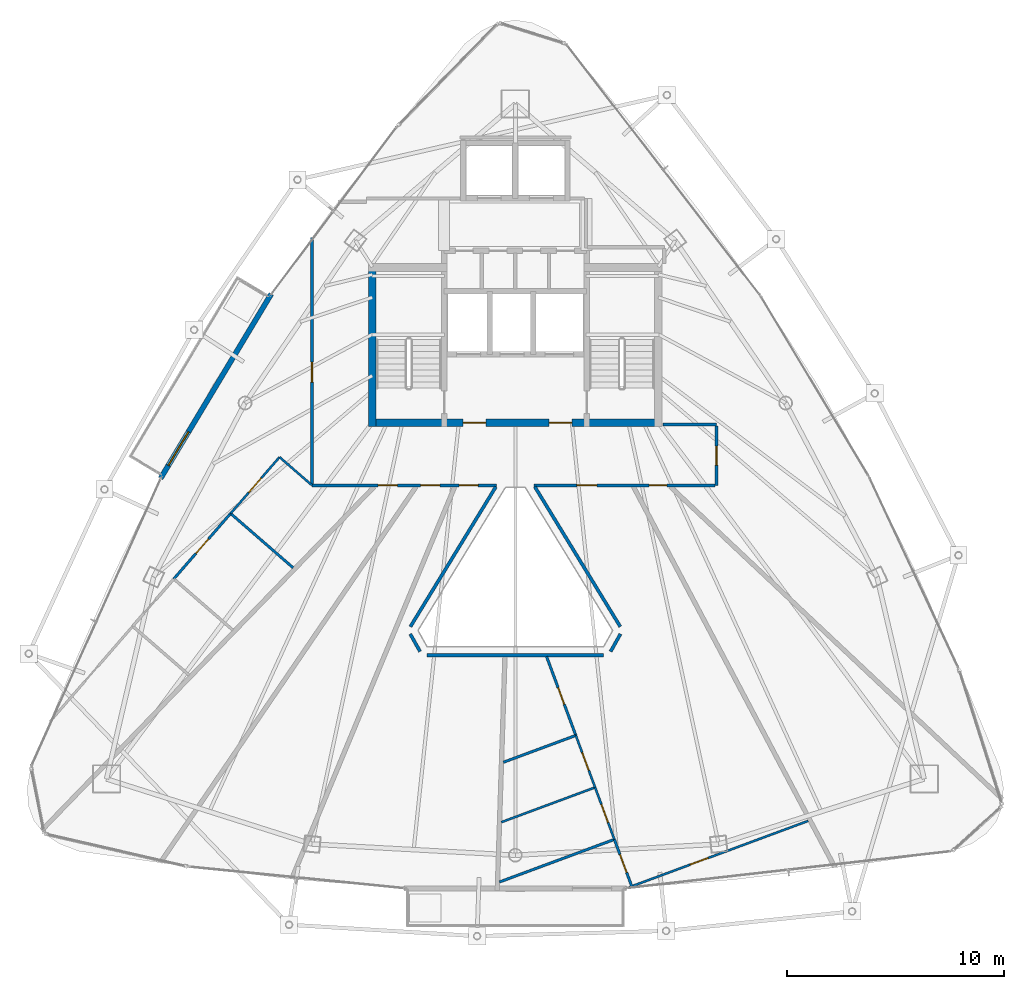
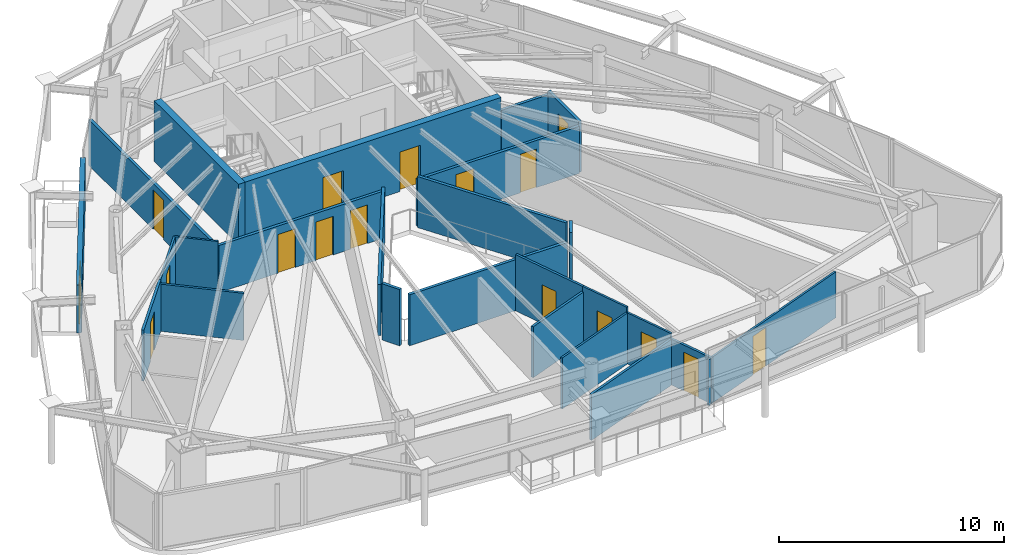
# One storey, part 26 of 29: 25 walls, 17 doors, 17 openings.
"""IFC4 building model written with IfcOpenShell, lengths in metres."""

from ifc_helpers import new_model, si_unit, direction, frame, frame_2d, origin, place, context, subcontext, project, spatial, rectangle, extrude, material, layer, layer_set, type_object, element, fill, save


model = new_model("IFC4")

# Units and contexts
model_context = context("Model", 3, precision=1e-05, world=origin(), true_north=direction((0.0, 1.0)))
body_context = subcontext(model_context, "Body", "Model", "MODEL_VIEW")
ifc_project = project(units=[si_unit("LENGTHUNIT", "METRE"), si_unit("AREAUNIT", "SQUARE_METRE"), si_unit("VOLUMEUNIT", "CUBIC_METRE"), si_unit("PLANEANGLEUNIT", "RADIAN"), si_unit("MASSUNIT", "GRAM", prefix="KILO")], contexts=[model_context])

# Site, building, storey
site_placement = place(None, origin())
site = spatial("IfcSite", under=ifc_project, at=site_placement, CompositionType="ELEMENT")
building_placement = place(site_placement, origin())
building = spatial("IfcBuilding", under=site, at=building_placement, Name="Orvanel Arch Residences", CompositionType="ELEMENT")
storey_placement = place(building_placement, frame((0.0, 0.0, 246.949951171875)))
storey = spatial("IfcBuildingStorey", under=building, at=storey_placement, Name="L70", CompositionType="ELEMENT", Elevation=246.949951171875)

# Wall, opening, door
ifc_material_1 = material(Name="Precast concrete N50 (50 MPa)", Category="concrete")
ifc_layer_1 = layer(ifc_material_1, 0.239990234375)
ifc_layer_set_1 = layer_set([ifc_layer_1], Name="Precast concrete N50 (50 MPa)")
wall_type_1 = type_object("IfcWallType", Name="EW-BAL-240", PredefinedType="SOLIDWALL", material=ifc_layer_set_1)
wall_1_placement = place(storey_placement, frame((21.77490234375, 32.659912109375, 0.0), z_axis=(0.0, 0.0, 1.0), x_axis=(-0.514372387577, -0.857566934354, 0.0)))
wall_1 = element("IfcWall", 1, at=wall_1_placement, inside=storey, type_object=wall_type_1, Name="L70 Balcony Threshold Wall Face 1", PredefinedType="SOLIDWALL", context=body_context, shape_type="SweptSolid", body=[
    extrude(rectangle(XDim=9.895263671875, YDim=0.239990234375, at=frame_2d((4.94775390625, 0.0))), origin(), (0.0, 0.0, 1.0), 2.6240234375),
])
opening_1_placement = place(wall_1_placement, frame((7.39794921875, 0.0, 0.0)))
opening_1 = element("IfcOpeningElement", 2, at=opening_1_placement, cuts=wall_1, Name="Opening DB-180", PredefinedType="OPENING", context=body_context, shape_type="SweptSolid", body=[
    extrude(rectangle(XDim=1.800048828125, YDim=2.199951171875, at=frame_2d((0.89990234375, 1.10009765625))), frame((0.0, 0.1298828125, 0.0), z_axis=(0.0, -1.0, 0.0), x_axis=(1.0, 0.0, 0.0)), (0.0, 0.0, 1.0), 0.260009765625),
])
ifc_material_2 = material(Name="Bronze-anodised aluminium AA6063-T6", Category="aluminium")
door_type_1 = type_object("IfcDoorType", Name="DR-BAL-1800", OperationType="NOTDEFINED", PredefinedType="DOOR", material=ifc_material_2)
door_1_placement = place(opening_1_placement, origin())
door_1 = element("IfcDoor", 3, at=door_1_placement, inside=storey, type_object=door_type_1, Name="DR-L70-BAL-F1 L70 Planted Balcony Access Door Face 1", OperationType="SINGLE_SWING_LEFT", OverallHeight=2.199951171875, OverallWidth=1.800048828125, PredefinedType="DOOR", context=body_context, shape_type="SweptSolid", body=[
    extrude(rectangle(XDim=1.800048828125, YDim=2.199951171875, at=frame_2d((0.89990234375, 1.10009765625))), frame((0.0, 0.02490234375, 0.0), z_axis=(0.0, -1.0, 0.0), x_axis=(1.0, 0.0, 0.0)), (0.0, 0.0, 1.0), 0.050048828125),
])
fill(opening_1, door_1)

# Wall, openings, doors
ifc_material_3 = material(Name="Concrete N50 (50 MPa)", Category="concrete")
ifc_layer_2 = layer(ifc_material_3, 0.35009765625)
ifc_layer_set_2 = layer_set([ifc_layer_2], Name="Concrete N50 (50 MPa)")
wall_type_2 = type_object("IfcWallType", Name="SW-CORE-350", PredefinedType="SHEAR", material=ifc_layer_set_2)
wall_2_placement = place(storey_placement, frame((26.25, 26.72509765625, 0.0), z_axis=(0.0, 0.0, 1.0), x_axis=(1.0, 0.0, 0.0)))
wall_2 = element("IfcWall", 4, at=wall_2_placement, inside=storey, type_object=wall_type_2, Name="L70 South Core Shear Wall", PredefinedType="SHEAR", context=body_context, shape_type="SweptSolid", body=[
    extrude(rectangle(XDim=13.5, YDim=0.35009765625, at=frame_2d((6.75, 0.0))), origin(), (0.0, 0.0, 1.0), 3.300048828125),
])
opening_2_placement = place(wall_2_placement, frame((4.35009765625, 0.0, 0.0)))
opening_2 = element("IfcOpeningElement", 5, at=opening_2_placement, cuts=wall_2, Name="Opening DF-060", PredefinedType="OPENING", context=body_context, shape_type="SweptSolid", body=[
    extrude(rectangle(XDim=1.050048828125, YDim=2.14990234375, at=frame_2d((0.52490234375, 1.074951171875))), frame((0.0, 0.18505859375, 0.0), z_axis=(0.0, -1.0, 0.0), x_axis=(1.0, 0.0, 0.0)), (0.0, 0.0, 1.0), 0.3701171875),
])
opening_3_placement = place(wall_2_placement, frame((8.300048828125, 0.0, 0.0)))
opening_3 = element("IfcOpeningElement", 6, at=opening_3_placement, cuts=wall_2, Name="Opening DF-060", PredefinedType="OPENING", context=body_context, shape_type="SweptSolid", body=[
    extrude(rectangle(XDim=1.050048828125, YDim=2.14990234375, at=frame_2d((0.52490234375, 1.074951171875))), frame((0.0, 0.18505859375, 0.0), z_axis=(0.0, -1.0, 0.0), x_axis=(1.0, 0.0, 0.0)), (0.0, 0.0, 1.0), 0.3701171875),
])
ifc_material_4 = material(Name="Galvanised steel fire-resisting door assembly", Category="steel")
door_type_2 = type_object("IfcDoorType", Name="DR-FD60-1050", OperationType="NOTDEFINED", PredefinedType="DOOR", material=ifc_material_4)
door_2_placement = place(opening_2_placement, origin())
door_2 = element("IfcDoor", 7, at=door_2_placement, inside=storey, type_object=door_type_2, Name="DR-L70-FFL-W L70 West Smoke Lobby Door", OperationType="SINGLE_SWING_LEFT", OverallHeight=2.14990234375, OverallWidth=1.050048828125, PredefinedType="DOOR", context=body_context, shape_type="SweptSolid", body=[
    extrude(rectangle(XDim=1.050048828125, YDim=2.14990234375, at=frame_2d((0.52490234375, 1.074951171875))), frame((0.0, 0.02490234375, 0.0), z_axis=(0.0, -1.0, 0.0), x_axis=(1.0, 0.0, 0.0)), (0.0, 0.0, 1.0), 0.050048828125),
])
fill(opening_2, door_2)
door_3_placement = place(opening_3_placement, origin())
door_3 = element("IfcDoor", 8, at=door_3_placement, inside=storey, type_object=door_type_2, Name="DR-L70-FFL-E L70 East Smoke Lobby Door", OperationType="SINGLE_SWING_RIGHT", OverallHeight=2.14990234375, OverallWidth=1.050048828125, PredefinedType="DOOR", context=body_context, shape_type="SweptSolid", body=[
    extrude(rectangle(XDim=1.050048828125, YDim=2.14990234375, at=frame_2d((0.52490234375, 1.074951171875))), frame((0.0, 0.02490234375, 0.0), z_axis=(0.0, -1.0, 0.0), x_axis=(1.0, 0.0, 0.0)), (0.0, 0.0, 1.0), 0.050048828125),
])
fill(opening_3, door_3)

# Wall
wall_3_placement = place(storey_placement, frame((26.425048828125, 26.550048828125, 0.0), z_axis=(0.0, 0.0, 1.0), x_axis=(0.0, 1.0, 0.0)))
element("IfcWall", 9, at=wall_3_placement, inside=storey, type_object=wall_type_2, Name="L70 West Stair Shear Wall", PredefinedType="SHEAR", context=body_context, shape_type="SweptSolid", body=[
    extrude(rectangle(XDim=7.5, YDim=0.35009765625, at=frame_2d((3.75, 0.0))), origin(), (0.0, 0.0, 1.0), 3.300048828125),
])

# Wall, openings, doors
ifc_material_5 = material(Name="Fire-rated plasterboard lined steel stud partition", Category="steel")
ifc_layer_3 = layer(ifc_material_5, 0.14990234375)
ifc_layer_set_3 = layer_set([ifc_layer_3], Name="Fire-rated plasterboard lined steel stud partition")
wall_type_3 = type_object("IfcWallType", Name="W-COR-150", PredefinedType="PARTITIONING", material=ifc_layer_set_3)
wall_4_placement = place(storey_placement, frame((32.14111328125, 23.85009765625, 0.0), z_axis=(0.0, 0.0, 1.0), x_axis=(-1.0, 0.0, 0.0)))
wall_4 = element("IfcWall", 10, at=wall_4_placement, inside=storey, type_object=wall_type_3, Name="L70 Corridor Fire-Rated Partition", PredefinedType="PARTITIONING", context=body_context, shape_type="SweptSolid", body=[
    extrude(rectangle(XDim=8.4912109375, YDim=0.14990234375, at=frame_2d((4.24560546875, 0.0))), origin(), (0.0, 0.0, 1.0), 2.56494140625),
])
opening_4_placement = place(wall_4_placement, frame((0.847900390625, 0.0, 0.0)))
opening_4 = element("IfcOpeningElement", 11, at=opening_4_placement, cuts=wall_4, Name="Opening DI-088", PredefinedType="OPENING", context=body_context, shape_type="SweptSolid", body=[
    extrude(rectangle(XDim=0.8798828125, YDim=2.10009765625, at=frame_2d((0.43994140625, 1.050048828125))), frame((0.0, 0.0849609375, 0.0), z_axis=(0.0, -1.0, 0.0), x_axis=(1.0, 0.0, 0.0)), (0.0, 0.0, 1.0), 0.169921875),
])
opening_5_placement = place(wall_4_placement, frame((2.615966796875, 0.0, 0.0)))
opening_5 = element("IfcOpeningElement", 12, at=opening_5_placement, cuts=wall_4, Name="Opening DI-088", PredefinedType="OPENING", context=body_context, shape_type="SweptSolid", body=[
    extrude(rectangle(XDim=0.8798828125, YDim=2.10009765625, at=frame_2d((0.43994140625, 1.050048828125))), frame((0.0, 0.0849609375, 0.0), z_axis=(0.0, -1.0, 0.0), x_axis=(1.0, 0.0, 0.0)), (0.0, 0.0, 1.0), 0.169921875),
])
opening_6_placement = place(wall_4_placement, frame((4.56689453125, 0.0, 0.0)))
opening_6 = element("IfcOpeningElement", 13, at=opening_6_placement, cuts=wall_4, Name="Opening DI-088", PredefinedType="OPENING", context=body_context, shape_type="SweptSolid", body=[
    extrude(rectangle(XDim=0.8798828125, YDim=2.10009765625, at=frame_2d((0.43994140625, 1.050048828125))), frame((0.0, 0.0849609375, 0.0), z_axis=(0.0, -1.0, 0.0), x_axis=(1.0, 0.0, 0.0)), (0.0, 0.0, 1.0), 0.169921875),
])
ifc_material_6 = material(Name="Solid-core European oak veneer fire door leaf", Category="wood")
door_type_3 = type_object("IfcDoorType", Name="DR-INT-880", OperationType="NOTDEFINED", PredefinedType="DOOR", material=ifc_material_6)
door_4_placement = place(opening_4_placement, origin())
door_4 = element("IfcDoor", 14, at=door_4_placement, inside=storey, type_object=door_type_3, Name="DR-L70-SHRD-FB5 L70 Co-Working Study Office E Door", OperationType="SINGLE_SWING_LEFT", OverallHeight=2.10009765625, OverallWidth=0.8798828125, PredefinedType="DOOR", context=body_context, shape_type="SweptSolid", body=[
    extrude(rectangle(XDim=0.8798828125, YDim=2.10009765625, at=frame_2d((0.43994140625, 1.050048828125))), frame((0.0, 0.02490234375, 0.0), z_axis=(0.0, -1.0, 0.0), x_axis=(1.0, 0.0, 0.0)), (0.0, 0.0, 1.0), 0.050048828125),
])
fill(opening_4, door_4)
door_5_placement = place(opening_5_placement, origin())
door_5 = element("IfcDoor", 15, at=door_5_placement, inside=storey, type_object=door_type_3, Name="DR-L70-SHRD-FB6 L70 Co-Working Study Office F Door", OperationType="SINGLE_SWING_LEFT", OverallHeight=2.10009765625, OverallWidth=0.8798828125, PredefinedType="DOOR", context=body_context, shape_type="SweptSolid", body=[
    extrude(rectangle(XDim=0.8798828125, YDim=2.10009765625, at=frame_2d((0.43994140625, 1.050048828125))), frame((0.0, 0.02490234375, 0.0), z_axis=(0.0, -1.0, 0.0), x_axis=(1.0, 0.0, 0.0)), (0.0, 0.0, 1.0), 0.050048828125),
])
fill(opening_5, door_5)
door_6_placement = place(opening_6_placement, origin())
door_6 = element("IfcDoor", 16, at=door_6_placement, inside=storey, type_object=door_type_3, Name="DR-L70-SHRD-FB7 L70 Co-Working Study Office G Door", OperationType="SINGLE_SWING_LEFT", OverallHeight=2.10009765625, OverallWidth=0.8798828125, PredefinedType="DOOR", context=body_context, shape_type="SweptSolid", body=[
    extrude(rectangle(XDim=0.8798828125, YDim=2.10009765625, at=frame_2d((0.43994140625, 1.050048828125))), frame((0.0, 0.02490234375, 0.0), z_axis=(0.0, -1.0, 0.0), x_axis=(1.0, 0.0, 0.0)), (0.0, 0.0, 1.0), 0.050048828125),
])
fill(opening_6, door_6)

# Wall, opening, door
wall_5_placement = place(storey_placement, frame((23.64990234375, 23.909912109375, 0.0), z_axis=(0.0, 0.0, 1.0), x_axis=(0.0, 1.0, 0.0)))
wall_5 = element("IfcWall", 17, at=wall_5_placement, inside=storey, type_object=wall_type_3, Name="L70 Corridor Fire-Rated Partition", PredefinedType="PARTITIONING", context=body_context, shape_type="SweptSolid", body=[
    extrude(rectangle(XDim=11.337158203125, YDim=0.14990234375, at=frame_2d((5.66845703125, 0.0))), origin(), (0.0, 0.0, 1.0), 2.491943359375),
])
opening_7_placement = place(wall_5_placement, frame((4.694091796875, 0.0, 0.0)))
opening_7 = element("IfcOpeningElement", 18, at=opening_7_placement, cuts=wall_5, Name="Opening DA-092", PredefinedType="OPENING", context=body_context, shape_type="SweptSolid", body=[
    extrude(rectangle(XDim=0.919921875, YDim=2.14990234375, at=frame_2d((0.4599609375, 1.074951171875))), frame((0.0, 0.0849609375, 0.0), z_axis=(0.0, -1.0, 0.0), x_axis=(1.0, 0.0, 0.0)), (0.0, 0.0, 1.0), 0.169921875),
])
door_type_4 = type_object("IfcDoorType", Name="DR-APT-920", OperationType="NOTDEFINED", PredefinedType="DOOR", material=ifc_material_6)
door_7_placement = place(opening_7_placement, origin())
door_7 = element("IfcDoor", 19, at=door_7_placement, inside=storey, type_object=door_type_4, Name="DR-L70-C-ENT L70 Studio C Entrance Door", OperationType="SINGLE_SWING_RIGHT", OverallHeight=2.14990234375, OverallWidth=0.919921875, PredefinedType="DOOR", context=body_context, shape_type="SweptSolid", body=[
    extrude(rectangle(XDim=0.919921875, YDim=2.14990234375, at=frame_2d((0.4599609375, 1.074951171875))), frame((0.0, 0.02490234375, 0.0), z_axis=(0.0, -1.0, 0.0), x_axis=(1.0, 0.0, 0.0)), (0.0, 0.0, 1.0), 0.050048828125),
])
fill(opening_7, door_7)

# Wall
wall_6_placement = place(storey_placement, frame((39.7900390625, 26.64990234375, 0.0), z_axis=(0.0, 0.0, 1.0), x_axis=(1.0, 0.0, 0.0)))
element("IfcWall", 20, at=wall_6_placement, inside=storey, type_object=wall_type_3, Name="L70 Corridor Fire-Rated Partition", PredefinedType="PARTITIONING", context=body_context, shape_type="SweptSolid", body=[
    extrude(rectangle(XDim=2.4599609375, YDim=0.14990234375, at=frame_2d((1.22998046875, 0.0))), origin(), (0.0, 0.0, 1.0), 2.56494140625),
])

# Wall, opening, door
wall_7_placement = place(storey_placement, frame((42.25, 26.590087890625, 0.0), z_axis=(0.0, 0.0, 1.0), x_axis=(0.0, -1.0, 0.0)))
wall_7 = element("IfcWall", 21, at=wall_7_placement, inside=storey, type_object=wall_type_3, Name="L70 Corridor Fire-Rated Partition", PredefinedType="PARTITIONING", context=body_context, shape_type="SweptSolid", body=[
    extrude(rectangle(XDim=2.739990234375, YDim=0.14990234375, at=frame_2d((1.3701171875, 0.0))), origin(), (0.0, 0.0, 1.0), 2.77294921875),
])
opening_8_placement = place(wall_7_placement, frame((0.929931640625, 0.0, 0.0)))
opening_8 = element("IfcOpeningElement", 22, at=opening_8_placement, cuts=wall_7, Name="Opening DI-088", PredefinedType="OPENING", context=body_context, shape_type="SweptSolid", body=[
    extrude(rectangle(XDim=0.8798828125, YDim=2.10009765625, at=frame_2d((0.43994140625, 1.050048828125))), frame((0.0, 0.0849609375, 0.0), z_axis=(0.0, -1.0, 0.0), x_axis=(1.0, 0.0, 0.0)), (0.0, 0.0, 1.0), 0.169921875),
])
door_8_placement = place(opening_8_placement, origin())
door_8 = element("IfcDoor", 23, at=door_8_placement, inside=storey, type_object=door_type_3, Name="DR-L70-SHRD-FB1 L70 Co-Working Study Office A Door", OperationType="SINGLE_SWING_LEFT", OverallHeight=2.10009765625, OverallWidth=0.8798828125, PredefinedType="DOOR", context=body_context, shape_type="SweptSolid", body=[
    extrude(rectangle(XDim=0.8798828125, YDim=2.10009765625, at=frame_2d((0.43994140625, 1.050048828125))), frame((0.0, 0.02490234375, 0.0), z_axis=(0.0, -1.0, 0.0), x_axis=(1.0, 0.0, 0.0)), (0.0, 0.0, 1.0), 0.050048828125),
])
fill(opening_8, door_8)

# Wall, openings, doors
wall_8_placement = place(storey_placement, frame((42.18994140625, 23.85009765625, 0.0), z_axis=(0.0, 0.0, 1.0), x_axis=(-1.0, 0.0, 0.0)))
wall_8 = element("IfcWall", 24, at=wall_8_placement, inside=storey, type_object=wall_type_3, Name="L70 Corridor Fire-Rated Partition", PredefinedType="PARTITIONING", context=body_context, shape_type="SweptSolid", body=[
    extrude(rectangle(XDim=8.3310546875, YDim=0.14990234375, at=frame_2d((4.16552734375, 0.0))), origin(), (0.0, 0.0, 1.0), 2.56494140625),
])
opening_9_placement = place(wall_8_placement, frame((5.43505859375, 0.0, 0.0)))
opening_9 = element("IfcOpeningElement", 25, at=opening_9_placement, cuts=wall_8, Name="Opening DA-092", PredefinedType="OPENING", context=body_context, shape_type="SweptSolid", body=[
    extrude(rectangle(XDim=0.919921875, YDim=2.14990234375, at=frame_2d((0.4599609375, 1.074951171875))), frame((0.0, 0.0849609375, 0.0), z_axis=(0.0, -1.0, 0.0), x_axis=(1.0, 0.0, 0.0)), (0.0, 0.0, 1.0), 0.169921875),
])
opening_10_placement = place(wall_8_placement, frame((2.218017578125, 0.0, 0.0)))
opening_10 = element("IfcOpeningElement", 26, at=opening_10_placement, cuts=wall_8, Name="Opening DW-082", PredefinedType="OPENING", context=body_context, shape_type="SweptSolid", body=[
    extrude(rectangle(XDim=0.820068359375, YDim=2.10009765625, at=frame_2d((0.41015625, 1.050048828125))), frame((0.0, 0.0849609375, 0.0), z_axis=(0.0, -1.0, 0.0), x_axis=(1.0, 0.0, 0.0)), (0.0, 0.0, 1.0), 0.169921875),
])
door_9_placement = place(opening_9_placement, origin())
door_9 = element("IfcDoor", 27, at=door_9_placement, inside=storey, type_object=door_type_4, Name="DR-L70-B-ENT L70 Studio B Entrance Door", OperationType="SINGLE_SWING_LEFT", OverallHeight=2.14990234375, OverallWidth=0.919921875, PredefinedType="DOOR", context=body_context, shape_type="SweptSolid", body=[
    extrude(rectangle(XDim=0.919921875, YDim=2.14990234375, at=frame_2d((0.4599609375, 1.074951171875))), frame((0.0, 0.02490234375, 0.0), z_axis=(0.0, -1.0, 0.0), x_axis=(1.0, 0.0, 0.0)), (0.0, 0.0, 1.0), 0.050048828125),
])
fill(opening_9, door_9)
door_type_5 = type_object("IfcDoorType", Name="DR-WET-820", OperationType="NOTDEFINED", PredefinedType="DOOR", material=ifc_material_6)
door_10_placement = place(opening_10_placement, origin())
door_10 = element("IfcDoor", 28, at=door_10_placement, inside=storey, type_object=door_type_5, Name="DR-L70-SHRD-FB4 L70 Co-Working Study Office D Door", OperationType="SINGLE_SWING_LEFT", OverallHeight=2.10009765625, OverallWidth=0.820068359375, PredefinedType="DOOR", context=body_context, shape_type="SweptSolid", body=[
    extrude(rectangle(XDim=0.820068359375, YDim=2.10009765625, at=frame_2d((0.41015625, 1.050048828125))), frame((0.0, 0.02490234375, 0.0), z_axis=(0.0, -1.0, 0.0), x_axis=(1.0, 0.0, 0.0)), (0.0, 0.0, 1.0), 0.050048828125),
])
fill(opening_10, door_10)

# Walls
wall_9_placement = place(storey_placement, frame((33.89501953125, 23.7900390625, 0.0), z_axis=(0.0, 0.0, 1.0), x_axis=(0.521329541742, -0.85335544113, 0.0)))
element("IfcWall", 29, at=wall_9_placement, inside=storey, type_object=wall_type_3, Name="L70 Atrium Overlook Glazed Partition", PredefinedType="PARTITIONING", context=body_context, shape_type="SweptSolid", body=[
    extrude(rectangle(XDim=7.5419921875, YDim=0.14990234375, at=frame_2d((3.77099609375, 0.0))), origin(), (0.0, 0.0, 1.0), 2.77294921875),
])
wall_10_placement = place(storey_placement, frame((37.833984375, 17.01806640625, 0.0), z_axis=(0.0, 0.0, 1.0), x_axis=(-0.489334167997, -0.872096366252, 0.0)))
element("IfcWall", 30, at=wall_10_placement, inside=storey, type_object=wall_type_3, Name="L70 Atrium Overlook Glazed Partition", PredefinedType="PARTITIONING", context=body_context, shape_type="SweptSolid", body=[
    extrude(rectangle(XDim=0.925537109375, YDim=0.14990234375, at=frame_2d((0.462890625, 0.0))), origin(), (0.0, 0.0, 1.0), 3.06005859375),
])
wall_11_placement = place(storey_placement, frame((37.052001953125, 16.0390625, 0.0), z_axis=(0.0, 0.0, 1.0), x_axis=(-1.0, 0.0, 0.0)))
element("IfcWall", 31, at=wall_11_placement, inside=storey, type_object=wall_type_3, Name="L70 Atrium Overlook Glazed Partition", PredefinedType="PARTITIONING", context=body_context, shape_type="SweptSolid", body=[
    extrude(rectangle(XDim=8.10400390625, YDim=0.14990234375, at=frame_2d((4.052001953125, 0.0))), origin(), (0.0, 0.0, 1.0), 2.77294921875),
])
wall_12_placement = place(storey_placement, frame((28.618896484375, 16.2109375, 0.0), z_axis=(0.0, 0.0, 1.0), x_axis=(-0.489334167997, 0.872096366252, 0.0)))
element("IfcWall", 32, at=wall_12_placement, inside=storey, type_object=wall_type_3, Name="L70 Atrium Overlook Glazed Partition", PredefinedType="PARTITIONING", context=body_context, shape_type="SweptSolid", body=[
    extrude(rectangle(XDim=0.925537109375, YDim=0.14990234375, at=frame_2d((0.462890625, 0.0))), origin(), (0.0, 0.0, 1.0), 3.06005859375),
])
wall_13_placement = place(storey_placement, frame((28.173095703125, 17.35400390625, 0.0), z_axis=(0.0, 0.0, 1.0), x_axis=(0.521329541742, 0.85335544113, 0.0)))
element("IfcWall", 33, at=wall_13_placement, inside=storey, type_object=wall_type_3, Name="L70 Atrium Overlook Glazed Partition", PredefinedType="PARTITIONING", context=body_context, shape_type="SweptSolid", body=[
    extrude(rectangle(XDim=7.5419921875, YDim=0.14990234375, at=frame_2d((3.77099609375, 0.0))), origin(), (0.0, 0.0, 1.0), 2.77294921875),
])

# Wall, opening, door
ifc_material_7 = material(Name="Acoustic plasterboard lined twin-stud partition", Category="gypsum")
ifc_layer_4 = layer(ifc_material_7, 0.10009765625)
ifc_layer_set_4 = layer_set([ifc_layer_4], Name="Acoustic plasterboard lined twin-stud partition")
wall_type_4 = type_object("IfcWallType", Name="W-INT-100", PredefinedType="PARTITIONING", material=ifc_layer_set_4)
wall_14_placement = place(storey_placement, frame((37.553955078125, 7.571044921875, 0.0), z_axis=(0.0, 0.0, 1.0), x_axis=(-0.347479633163, 0.93768753033, 0.0)))
wall_14 = element("IfcWall", 34, at=wall_14_placement, inside=storey, type_object=wall_type_4, Name="L70 Studio B Internal Partition", PredefinedType="PARTITIONING", context=body_context, shape_type="SweptSolid", body=[
    extrude(rectangle(XDim=2.5498046875, YDim=0.10009765625, at=frame_2d((1.27490234375, 0.0))), origin(), (0.0, 0.0, 1.0), 2.77294921875),
])
opening_11_placement = place(wall_14_placement, frame((0.8349609375, 0.0, 0.0)))
opening_11 = element("IfcOpeningElement", 35, at=opening_11_placement, cuts=wall_14, Name="Opening DI-088", PredefinedType="OPENING", context=body_context, shape_type="SweptSolid", body=[
    extrude(rectangle(XDim=0.8798828125, YDim=2.10009765625, at=frame_2d((0.43994140625, 1.050048828125))), frame((0.0, 0.06005859375, 0.0), z_axis=(0.0, -1.0, 0.0), x_axis=(1.0, 0.0, 0.0)), (0.0, 0.0, 1.0), 0.1201171875),
])
door_11_placement = place(opening_11_placement, origin())
door_11 = element("IfcDoor", 36, at=door_11_placement, inside=storey, type_object=door_type_3, Name="DR-L70-B-AME1 L70 Studio B Resident Reading Library 1 Door", OperationType="SINGLE_SWING_LEFT", OverallHeight=2.10009765625, OverallWidth=0.8798828125, PredefinedType="DOOR", context=body_context, shape_type="SweptSolid", body=[
    extrude(rectangle(XDim=0.8798828125, YDim=2.10009765625, at=frame_2d((0.43994140625, 1.050048828125))), frame((0.0, 0.02490234375, 0.0), z_axis=(0.0, -1.0, 0.0), x_axis=(1.0, 0.0, 0.0)), (0.0, 0.0, 1.0), 0.050048828125),
])
fill(opening_11, door_11)

wall_15_placement = place(storey_placement, frame((46.468994140625, 8.423095703125, 0.0), z_axis=(0.0, 0.0, 1.0), x_axis=(-0.937601832004, -0.34771080602, 0.0)))
wall_15 = element("IfcWall", 37, at=wall_15_placement, inside=storey, type_object=wall_type_4, Name="L70 Studio B Internal Partition", PredefinedType="PARTITIONING", context=body_context, shape_type="SweptSolid", body=[
    extrude(rectangle(XDim=8.904541015625, YDim=0.10009765625, at=frame_2d((4.4521484375, 0.0))), origin(), (0.0, 0.0, 1.0), 2.491943359375),
])
opening_12_placement = place(wall_15_placement, frame((4.909912109375, 0.0, 0.0)))
opening_12 = element("IfcOpeningElement", 38, at=opening_12_placement, cuts=wall_15, Name="Opening DI-088", PredefinedType="OPENING", context=body_context, shape_type="SweptSolid", body=[
    extrude(rectangle(XDim=0.8798828125, YDim=2.10009765625, at=frame_2d((0.43994140625, 1.050048828125))), frame((0.0, 0.06005859375, 0.0), z_axis=(0.0, -1.0, 0.0), x_axis=(1.0, 0.0, 0.0)), (0.0, 0.0, 1.0), 0.1201171875),
])
door_12_placement = place(opening_12_placement, origin())
door_12 = element("IfcDoor", 39, at=door_12_placement, inside=storey, type_object=door_type_3, Name="DR-L70-B-AME2 L70 Studio B Resident Reading Library 2 Door", OperationType="SINGLE_SWING_LEFT", OverallHeight=2.10009765625, OverallWidth=0.8798828125, PredefinedType="DOOR", context=body_context, shape_type="SweptSolid", body=[
    extrude(rectangle(XDim=0.8798828125, YDim=2.10009765625, at=frame_2d((0.43994140625, 1.050048828125))), frame((0.0, 0.02490234375, 0.0), z_axis=(0.0, -1.0, 0.0), x_axis=(1.0, 0.0, 0.0)), (0.0, 0.0, 1.0), 0.050048828125),
])
fill(opening_12, door_12)

wall_16_placement = place(storey_placement, frame((36.66796875, 9.9619140625, 0.0), z_axis=(0.0, 0.0, 1.0), x_axis=(-0.347785106968, 0.937574274056, 0.0)))
wall_16 = element("IfcWall", 40, at=wall_16_placement, inside=storey, type_object=wall_type_4, Name="L70 Studio B Internal Partition", PredefinedType="PARTITIONING", context=body_context, shape_type="SweptSolid", body=[
    extrude(rectangle(XDim=2.55029296875, YDim=0.10009765625, at=frame_2d((1.275146484375, 0.0))), origin(), (0.0, 0.0, 1.0), 3.06005859375),
])
opening_13_placement = place(wall_16_placement, frame((0.8349609375, 0.0, 0.0)))
opening_13 = element("IfcOpeningElement", 41, at=opening_13_placement, cuts=wall_16, Name="Opening DI-088", PredefinedType="OPENING", context=body_context, shape_type="SweptSolid", body=[
    extrude(rectangle(XDim=0.8798828125, YDim=2.10009765625, at=frame_2d((0.43994140625, 1.050048828125))), frame((0.0, 0.06005859375, 0.0), z_axis=(0.0, -1.0, 0.0), x_axis=(1.0, 0.0, 0.0)), (0.0, 0.0, 1.0), 0.1201171875),
])
door_13_placement = place(opening_13_placement, origin())
door_13 = element("IfcDoor", 42, at=door_13_placement, inside=storey, type_object=door_type_3, Name="DR-L70-B-DIN3 L70 Studio B Dining Room 3 Door", OperationType="SINGLE_SWING_LEFT", OverallHeight=2.10009765625, OverallWidth=0.8798828125, PredefinedType="DOOR", context=body_context, shape_type="SweptSolid", body=[
    extrude(rectangle(XDim=0.8798828125, YDim=2.10009765625, at=frame_2d((0.43994140625, 1.050048828125))), frame((0.0, 0.02490234375, 0.0), z_axis=(0.0, -1.0, 0.0), x_axis=(1.0, 0.0, 0.0)), (0.0, 0.0, 1.0), 0.050048828125),
])
fill(opening_13, door_13)

# Walls
wall_17_placement = place(storey_placement, frame((32.35791015625, 8.364013671875, 0.0), z_axis=(0.0, 0.0, 1.0), x_axis=(0.937636593966, 0.34761705605, 0.0)))
element("IfcWall", 43, at=wall_17_placement, inside=storey, type_object=wall_type_4, Name="L70 Studio B Internal Partition", PredefinedType="PARTITIONING", context=body_context, shape_type="SweptSolid", body=[
    extrude(rectangle(XDim=4.5966796875, YDim=0.10009765625, at=frame_2d((2.29833984375, 0.0))), origin(), (0.0, 0.0, 1.0), 2.77294921875),
])
wall_18_placement = place(storey_placement, frame((23.64990234375, 23.85498046875, 0.0), z_axis=(0.0, 0.0, 1.0), x_axis=(-0.755054003076, 0.655662605643, 0.0)))
element("IfcWall", 44, at=wall_18_placement, inside=storey, type_object=wall_type_4, Name="L70 Studio C Internal Partition", PredefinedType="PARTITIONING", context=body_context, shape_type="SweptSolid", body=[
    extrude(rectangle(XDim=1.979736328125, YDim=0.10009765625, at=frame_2d((0.98974609375, 0.0))), origin(), (0.0, 0.0, 1.0), 2.77294921875),
])

# Wall, opening, door
wall_19_placement = place(storey_placement, frame((22.155029296875, 25.153076171875, 0.0), z_axis=(0.0, 0.0, 1.0), x_axis=(-0.655685588572, -0.755034044888, 0.0)))
wall_19 = element("IfcWall", 45, at=wall_19_placement, inside=storey, type_object=wall_type_4, Name="L70 Studio C Internal Partition", PredefinedType="PARTITIONING", context=body_context, shape_type="SweptSolid", body=[
    extrude(rectangle(XDim=3.43310546875, YDim=0.10009765625, at=frame_2d((1.716552734375, 0.0))), origin(), (0.0, 0.0, 1.0), 2.77294921875),
])
opening_14_placement = place(wall_19_placement, frame((1.27587890625, 0.0, 0.0)))
opening_14 = element("IfcOpeningElement", 46, at=opening_14_placement, cuts=wall_19, Name="Opening DI-088", PredefinedType="OPENING", context=body_context, shape_type="SweptSolid", body=[
    extrude(rectangle(XDim=0.8798828125, YDim=2.10009765625, at=frame_2d((0.43994140625, 1.050048828125))), frame((0.0, 0.06005859375, 0.0), z_axis=(0.0, -1.0, 0.0), x_axis=(1.0, 0.0, 0.0)), (0.0, 0.0, 1.0), 0.1201171875),
])
door_14_placement = place(opening_14_placement, origin())
door_14 = element("IfcDoor", 47, at=door_14_placement, inside=storey, type_object=door_type_3, Name="DR-L70-C-DIN2 L70 Studio C Dining Room 2 Door", OperationType="SINGLE_SWING_LEFT", OverallHeight=2.10009765625, OverallWidth=0.8798828125, PredefinedType="DOOR", context=body_context, shape_type="SweptSolid", body=[
    extrude(rectangle(XDim=0.8798828125, YDim=2.10009765625, at=frame_2d((0.43994140625, 1.050048828125))), frame((0.0, 0.02490234375, 0.0), z_axis=(0.0, -1.0, 0.0), x_axis=(1.0, 0.0, 0.0)), (0.0, 0.0, 1.0), 0.050048828125),
])
fill(opening_14, door_14)

ifc_layer_5 = layer(ifc_material_7, 0.1201171875)
ifc_layer_set_5 = layer_set([ifc_layer_5], Name="Acoustic plasterboard lined twin-stud partition")
wall_type_5 = type_object("IfcWallType", Name="W-WET-120", PredefinedType="PARTITIONING", material=ifc_layer_set_5)
wall_20_placement = place(storey_placement, frame((35.781005859375, 12.35302734375, 0.0), z_axis=(0.0, 0.0, 1.0), x_axis=(-0.347550810428, 0.937661151041, 0.0)))
wall_20 = element("IfcWall", 48, at=wall_20_placement, inside=storey, type_object=wall_type_5, Name="L70 Studio B Bathroom Partition", PredefinedType="PARTITIONING", context=body_context, shape_type="SweptSolid", body=[
    extrude(rectangle(XDim=3.866943359375, YDim=0.1201171875, at=frame_2d((1.93359375, 0.0))), origin(), (0.0, 0.0, 1.0), 3.06005859375),
])
opening_15_placement = place(wall_20_placement, frame((1.52392578125, 0.0, 0.0)))
opening_15 = element("IfcOpeningElement", 49, at=opening_15_placement, cuts=wall_20, Name="Opening DW-082", PredefinedType="OPENING", context=body_context, shape_type="SweptSolid", body=[
    extrude(rectangle(XDim=0.820068359375, YDim=2.10009765625, at=frame_2d((0.41015625, 1.050048828125))), frame((0.0, 0.070068359375, 0.0), z_axis=(0.0, -1.0, 0.0), x_axis=(1.0, 0.0, 0.0)), (0.0, 0.0, 1.0), 0.14013671875),
])
door_15_placement = place(opening_15_placement, origin())
door_15 = element("IfcDoor", 50, at=door_15_placement, inside=storey, type_object=door_type_5, Name="DR-L70-B-BATH L70 Studio B Bathroom Door", OperationType="SINGLE_SWING_RIGHT", OverallHeight=2.10009765625, OverallWidth=0.820068359375, PredefinedType="DOOR", context=body_context, shape_type="SweptSolid", body=[
    extrude(rectangle(XDim=0.820068359375, YDim=2.10009765625, at=frame_2d((0.41015625, 1.050048828125))), frame((0.0, 0.02490234375, 0.0), z_axis=(0.0, -1.0, 0.0), x_axis=(1.0, 0.0, 0.0)), (0.0, 0.0, 1.0), 0.050048828125),
])
fill(opening_15, door_15)

wall_21_placement = place(storey_placement, frame((38.375, 5.35791015625, 0.0), z_axis=(0.0, 0.0, 1.0), x_axis=(-0.347822952978, 0.937560234535, 0.0)))
wall_21 = element("IfcWall", 51, at=wall_21_placement, inside=storey, type_object=wall_type_5, Name="L70 Studio B Internal Partition", PredefinedType="PARTITIONING", context=body_context, shape_type="SweptSolid", body=[
    extrude(rectangle(XDim=2.360595703125, YDim=0.1201171875, at=frame_2d((1.18017578125, 0.0))), origin(), (0.0, 0.0, 1.0), 2.491943359375),
])
opening_16_placement = place(wall_21_placement, frame((0.739990234375, 0.0, 0.0)))
opening_16 = element("IfcOpeningElement", 52, at=opening_16_placement, cuts=wall_21, Name="Opening DI-088", PredefinedType="OPENING", context=body_context, shape_type="SweptSolid", body=[
    extrude(rectangle(XDim=0.8798828125, YDim=2.10009765625, at=frame_2d((0.43994140625, 1.050048828125))), frame((0.0, 0.070068359375, 0.0), z_axis=(0.0, -1.0, 0.0), x_axis=(1.0, 0.0, 0.0)), (0.0, 0.0, 1.0), 0.14013671875),
])
door_16_placement = place(opening_16_placement, origin())
door_16 = element("IfcDoor", 53, at=door_16_placement, inside=storey, type_object=door_type_3, Name="DR-L70-B-KIT L70 Studio B Kitchenette Door", OperationType="SINGLE_SWING_LEFT", OverallHeight=2.10009765625, OverallWidth=0.8798828125, PredefinedType="DOOR", context=body_context, shape_type="SweptSolid", body=[
    extrude(rectangle(XDim=0.8798828125, YDim=2.10009765625, at=frame_2d((0.43994140625, 1.050048828125))), frame((0.0, 0.02490234375, 0.0), z_axis=(0.0, -1.0, 0.0), x_axis=(1.0, 0.0, 0.0)), (0.0, 0.0, 1.0), 0.050048828125),
])
fill(opening_16, door_16)

# Walls
wall_22_placement = place(storey_placement, frame((35.781005859375, 12.35302734375, 0.0), z_axis=(0.0, 0.0, 1.0), x_axis=(-0.937688263894, -0.347477653607, 0.0)))
element("IfcWall", 54, at=wall_22_placement, inside=storey, type_object=wall_type_5, Name="L70 Studio B Bathroom Partition", PredefinedType="PARTITIONING", context=body_context, shape_type="SweptSolid", body=[
    extrude(rectangle(XDim=3.554443359375, YDim=0.1201171875, at=frame_2d((1.77734375, 0.0))), origin(), (0.0, 0.0, 1.0), 2.77294921875),
])
wall_23_placement = place(storey_placement, frame((32.26708984375, 5.611083984375, 0.0), z_axis=(0.0, 0.0, 1.0), x_axis=(0.937641120959, 0.347604845027, 0.0)))
element("IfcWall", 55, at=wall_23_placement, inside=storey, type_object=wall_type_5, Name="L70 Studio B Internal Partition", PredefinedType="PARTITIONING", context=body_context, shape_type="SweptSolid", body=[
    extrude(rectangle(XDim=5.638427734375, YDim=0.1201171875, at=frame_2d((2.8193359375, 0.0))), origin(), (0.0, 0.0, 1.0), 2.491943359375),
])

# Wall, opening, door
wall_24_placement = place(storey_placement, frame((19.904052734375, 22.56103515625, 0.0), z_axis=(0.0, 0.0, 1.0), x_axis=(-0.655518370372, -0.755179227803, 0.0)))
wall_24 = element("IfcWall", 56, at=wall_24_placement, inside=storey, type_object=wall_type_5, Name="L70 Studio C Internal Partition", PredefinedType="PARTITIONING", context=body_context, shape_type="SweptSolid", body=[
    extrude(rectangle(XDim=3.983154296875, YDim=0.1201171875, at=frame_2d((1.99169921875, 0.0))), origin(), (0.0, 0.0, 1.0), 2.77294921875),
])
opening_17_placement = place(wall_24_placement, frame((1.552001953125, 0.0, 0.0)))
opening_17 = element("IfcOpeningElement", 57, at=opening_17_placement, cuts=wall_24, Name="Opening DI-088", PredefinedType="OPENING", context=body_context, shape_type="SweptSolid", body=[
    extrude(rectangle(XDim=0.8798828125, YDim=2.10009765625, at=frame_2d((0.43994140625, 1.050048828125))), frame((0.0, 0.070068359375, 0.0), z_axis=(0.0, -1.0, 0.0), x_axis=(1.0, 0.0, 0.0)), (0.0, 0.0, 1.0), 0.14013671875),
])
door_17_placement = place(opening_17_placement, origin())
door_17 = element("IfcDoor", 58, at=door_17_placement, inside=storey, type_object=door_type_3, Name="DR-L70-C-KIT L70 Studio C Kitchenette Door", OperationType="SINGLE_SWING_LEFT", OverallHeight=2.10009765625, OverallWidth=0.8798828125, PredefinedType="DOOR", context=body_context, shape_type="SweptSolid", body=[
    extrude(rectangle(XDim=0.8798828125, YDim=2.10009765625, at=frame_2d((0.43994140625, 1.050048828125))), frame((0.0, 0.02490234375, 0.0), z_axis=(0.0, -1.0, 0.0), x_axis=(1.0, 0.0, 0.0)), (0.0, 0.0, 1.0), 0.050048828125),
])
fill(opening_17, door_17)

# Wall
wall_25_placement = place(storey_placement, frame((19.904052734375, 22.56103515625, 0.0), z_axis=(0.0, 0.0, 1.0), x_axis=(0.755063159293, -0.655652061293, 0.0)))
element("IfcWall", 59, at=wall_25_placement, inside=storey, type_object=wall_type_5, Name="L70 Studio C Internal Partition", PredefinedType="PARTITIONING", context=body_context, shape_type="SweptSolid", body=[
    extrude(rectangle(XDim=3.8115234375, YDim=0.1201171875, at=frame_2d((1.90576171875, 0.0))), origin(), (0.0, 0.0, 1.0), 2.56494140625),
])

save(model, "model.ifc")
